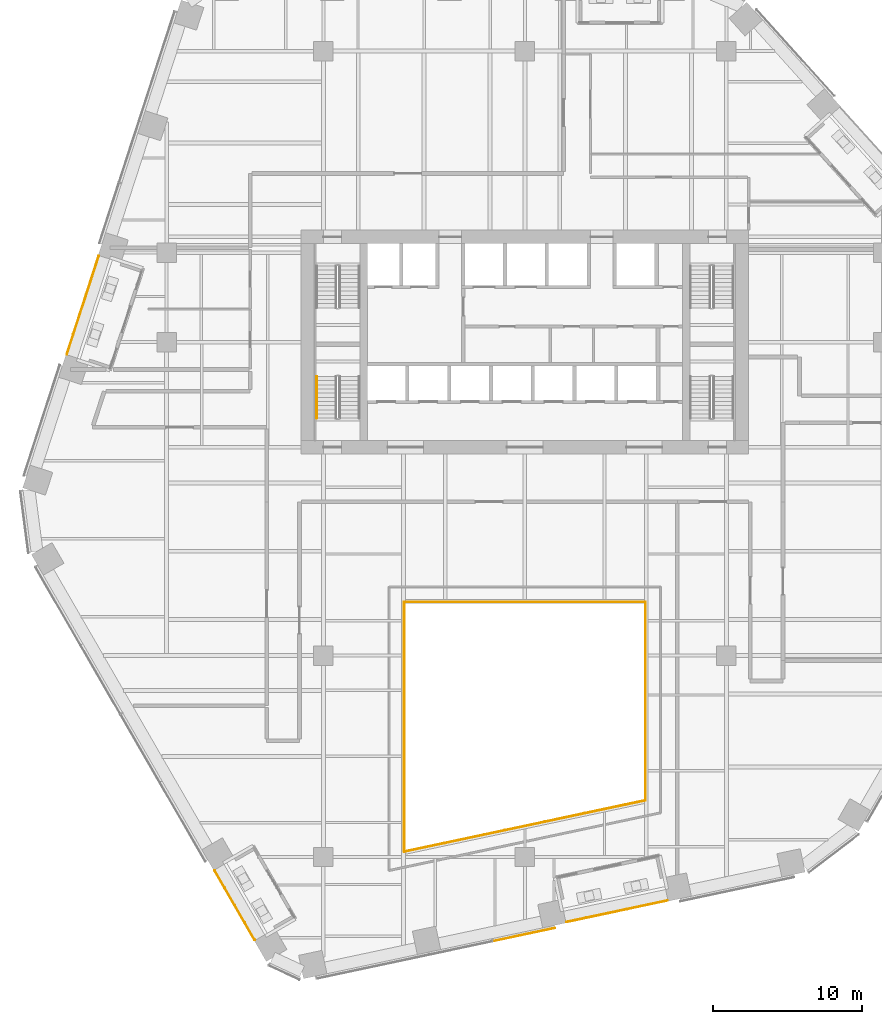
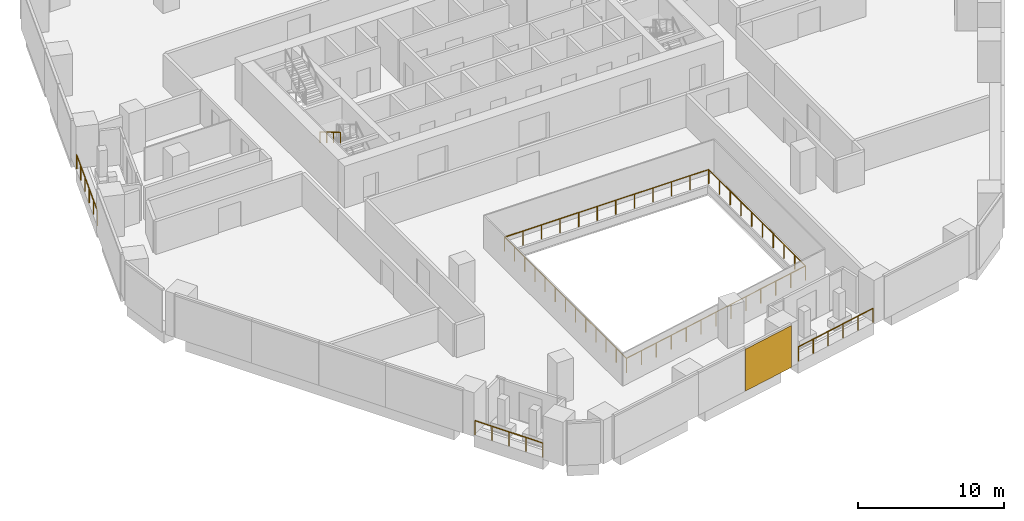
# One storey, part 24 of 28: 8 railings, 1 covering, 1 element without a shape of its own.
"""IFC4 building model written with IfcOpenShell, lengths in metres."""

from ifc_helpers import new_model, si_unit, direction, frame, origin, origin_2d, place, context, subcontext, project, spatial, rectangle, circle, extrude, material, layer, layer_set, type_object, element, aggregate, save


model = new_model("IFC4")

# Units and contexts
model_context = context("Model", 3, precision=1e-05, world=origin(), true_north=direction((0.0, 1.0)))
body_context = subcontext(model_context, "Body", "Model", "MODEL_VIEW")
ifc_project = project(units=[si_unit("LENGTHUNIT", "METRE"), si_unit("AREAUNIT", "SQUARE_METRE"), si_unit("VOLUMEUNIT", "CUBIC_METRE"), si_unit("PLANEANGLEUNIT", "RADIAN"), si_unit("MASSUNIT", "GRAM", prefix="KILO")], contexts=[model_context])

# Site, building, storey
site_placement = place(None, origin())
site = spatial("IfcSite", under=ifc_project, at=site_placement, CompositionType="ELEMENT")
building_placement = place(site_placement, origin())
building = spatial("IfcBuilding", under=site, at=building_placement, Name="Isthmus Gate Tower", CompositionType="ELEMENT")
storey_placement = place(building_placement, frame((0.0, 0.0, 84.300048828125)))
storey = spatial("IfcBuildingStorey", under=building, at=storey_placement, Name="L19", CompositionType="ELEMENT", Elevation=84.300048828125)

# Railings
ifc_material_1 = material(Name="Laminated toughened glass balustrade with steel rail", Category="steel")
railing_type_1 = type_object("IfcRailingType", Name="ATRIUM GUARD GLASS BALUSTRADE 1200", PredefinedType="GUARDRAIL", material=ifc_material_1)
railing_1_placement = place(storey_placement, frame((-8.080078125, -26.642822265625, 0.0)))
element("IfcRailing", 1, at=railing_1_placement, inside=storey, type_object=railing_type_1, Name="L19 atrium guard", PredefinedType="GUARDRAIL", context=body_context, shape_type="SweptSolid", body=[
    extrude(circle(Radius=0.02490234375, at=origin_2d()), frame((0.0, 0.0, 1.1748046875), z_axis=(0.0, 1.0, 0.0), x_axis=(-1.0, 0.0, 0.0)), (0.0, 0.0, 1.0), 16.722900390625),
    extrude(circle(Radius=0.02490234375, at=origin_2d()), origin(), (0.0, 0.0, 1.0), 1.14990234375),
    extrude(circle(Radius=0.02490234375, at=origin_2d()), frame((0.0, 1.3935546875, 0.0)), (0.0, 0.0, 1.0), 1.14990234375),
    extrude(circle(Radius=0.02490234375, at=origin_2d()), frame((0.0, 2.787109375, 0.0)), (0.0, 0.0, 1.0), 1.14990234375),
    extrude(circle(Radius=0.02490234375, at=origin_2d()), frame((0.0, 4.1806640625, 0.0)), (0.0, 0.0, 1.0), 1.14990234375),
    extrude(circle(Radius=0.02490234375, at=origin_2d()), frame((0.0, 5.57421875, 0.0)), (0.0, 0.0, 1.0), 1.14990234375),
    extrude(circle(Radius=0.02490234375, at=origin_2d()), frame((0.0, 6.9677734375, 0.0)), (0.0, 0.0, 1.0), 1.14990234375),
    extrude(circle(Radius=0.02490234375, at=origin_2d()), frame((0.0, 8.361328125, 0.0)), (0.0, 0.0, 1.0), 1.14990234375),
    extrude(circle(Radius=0.02490234375, at=origin_2d()), frame((0.0, 9.755126953125, 0.0)), (0.0, 0.0, 1.0), 1.14990234375),
    extrude(circle(Radius=0.02490234375, at=origin_2d()), frame((0.0, 11.148681640625, 0.0)), (0.0, 0.0, 1.0), 1.14990234375),
    extrude(circle(Radius=0.02490234375, at=origin_2d()), frame((0.0, 12.542236328125, 0.0)), (0.0, 0.0, 1.0), 1.14990234375),
    extrude(circle(Radius=0.02490234375, at=origin_2d()), frame((0.0, 13.935791015625, 0.0)), (0.0, 0.0, 1.0), 1.14990234375),
    extrude(circle(Radius=0.02490234375, at=origin_2d()), frame((0.0, 15.329345703125, 0.0)), (0.0, 0.0, 1.0), 1.14990234375),
    extrude(circle(Radius=0.02490234375, at=origin_2d()), frame((0.0, 16.722900390625, 0.0)), (0.0, 0.0, 1.0), 1.14990234375),
])
railing_2_placement = place(storey_placement, frame((-8.080078125, -9.919921875, 0.0)))
element("IfcRailing", 2, at=railing_2_placement, inside=storey, type_object=railing_type_1, Name="L19 atrium guard", PredefinedType="GUARDRAIL", context=body_context, shape_type="SweptSolid", body=[
    extrude(circle(Radius=0.02490234375, at=origin_2d()), frame((0.0, 0.0, 1.1748046875), z_axis=(1.0, 0.0, 0.0), x_axis=(0.0, 1.0, 0.0)), (0.0, 0.0, 1.0), 16.16015625),
    extrude(circle(Radius=0.02490234375, at=origin_2d()), origin(), (0.0, 0.0, 1.0), 1.14990234375),
    extrude(circle(Radius=0.02490234375, at=origin_2d()), frame((1.468994140625, 0.0, 0.0)), (0.0, 0.0, 1.0), 1.14990234375),
    extrude(circle(Radius=0.02490234375, at=origin_2d()), frame((2.938232421875, 0.0, 0.0)), (0.0, 0.0, 1.0), 1.14990234375),
    extrude(circle(Radius=0.02490234375, at=origin_2d()), frame((4.4072265625, 0.0, 0.0)), (0.0, 0.0, 1.0), 1.14990234375),
    extrude(circle(Radius=0.02490234375, at=origin_2d()), frame((5.87646484375, 0.0, 0.0)), (0.0, 0.0, 1.0), 1.14990234375),
    extrude(circle(Radius=0.02490234375, at=origin_2d()), frame((7.345458984375, 0.0, 0.0)), (0.0, 0.0, 1.0), 1.14990234375),
    extrude(circle(Radius=0.02490234375, at=origin_2d()), frame((8.814697265625, 0.0, 0.0)), (0.0, 0.0, 1.0), 1.14990234375),
    extrude(circle(Radius=0.02490234375, at=origin_2d()), frame((10.28369140625, 0.0, 0.0)), (0.0, 0.0, 1.0), 1.14990234375),
    extrude(circle(Radius=0.02490234375, at=origin_2d()), frame((11.7529296875, 0.0, 0.0)), (0.0, 0.0, 1.0), 1.14990234375),
    extrude(circle(Radius=0.02490234375, at=origin_2d()), frame((13.221923828125, 0.0, 0.0)), (0.0, 0.0, 1.0), 1.14990234375),
    extrude(circle(Radius=0.02490234375, at=origin_2d()), frame((14.691162109375, 0.0, 0.0)), (0.0, 0.0, 1.0), 1.14990234375),
    extrude(circle(Radius=0.02490234375, at=origin_2d()), frame((16.16015625, 0.0, 0.0)), (0.0, 0.0, 1.0), 1.14990234375),
])
railing_3_placement = place(storey_placement, frame((8.080078125, -9.919921875, 0.0)))
element("IfcRailing", 3, at=railing_3_placement, inside=storey, type_object=railing_type_1, Name="L19 atrium guard", PredefinedType="GUARDRAIL", context=body_context, shape_type="SweptSolid", body=[
    extrude(circle(Radius=0.02490234375, at=origin_2d()), frame((0.0, 0.0, 1.1748046875), z_axis=(0.0, -1.0, 0.0), x_axis=(1.0, 0.0, 0.0)), (0.0, 0.0, 1.0), 13.2880859375),
    extrude(circle(Radius=0.02490234375, at=origin_2d()), origin(), (0.0, 0.0, 1.0), 1.14990234375),
    extrude(circle(Radius=0.02490234375, at=origin_2d()), frame((0.0, -1.4765625, 0.0)), (0.0, 0.0, 1.0), 1.14990234375),
    extrude(circle(Radius=0.02490234375, at=origin_2d()), frame((0.0, -2.952880859375, 0.0)), (0.0, 0.0, 1.0), 1.14990234375),
    extrude(circle(Radius=0.02490234375, at=origin_2d()), frame((0.0, -4.429443359375, 0.0)), (0.0, 0.0, 1.0), 1.14990234375),
    extrude(circle(Radius=0.02490234375, at=origin_2d()), frame((0.0, -5.90576171875, 0.0)), (0.0, 0.0, 1.0), 1.14990234375),
    extrude(circle(Radius=0.02490234375, at=origin_2d()), frame((0.0, -7.38232421875, 0.0)), (0.0, 0.0, 1.0), 1.14990234375),
    extrude(circle(Radius=0.02490234375, at=origin_2d()), frame((0.0, -8.858642578125, 0.0)), (0.0, 0.0, 1.0), 1.14990234375),
    extrude(circle(Radius=0.02490234375, at=origin_2d()), frame((0.0, -10.335205078125, 0.0)), (0.0, 0.0, 1.0), 1.14990234375),
    extrude(circle(Radius=0.02490234375, at=origin_2d()), frame((0.0, -11.8115234375, 0.0)), (0.0, 0.0, 1.0), 1.14990234375),
    extrude(circle(Radius=0.02490234375, at=origin_2d()), frame((0.0, -13.2880859375, 0.0)), (0.0, 0.0, 1.0), 1.14990234375),
])
railing_4_placement = place(storey_placement, frame((8.080078125, -23.2080078125, 0.0)))
element("IfcRailing", 4, at=railing_4_placement, inside=storey, type_object=railing_type_1, Name="L19 atrium guard", PredefinedType="GUARDRAIL", context=body_context, shape_type="SweptSolid", body=[
    extrude(circle(Radius=0.02490234375, at=origin_2d()), frame((0.0, 0.0, 1.1748046875), z_axis=(-0.978149235358, -0.207904000366, 0.0), x_axis=(0.207904000366, -0.978149235358, 0.0)), (0.0, 0.0, 1.0), 16.521240234375),
    extrude(circle(Radius=0.02490234375, at=origin_2d()), origin(), (0.0, 0.0, 1.0), 1.14990234375),
    extrude(circle(Radius=0.02490234375, at=origin_2d()), frame((-1.3466796875, -0.2861328125, 0.0)), (0.0, 0.0, 1.0), 1.14990234375),
    extrude(circle(Radius=0.02490234375, at=origin_2d()), frame((-2.693359375, -0.572509765625, 0.0)), (0.0, 0.0, 1.0), 1.14990234375),
    extrude(circle(Radius=0.02490234375, at=origin_2d()), frame((-4.0400390625, -0.858642578125, 0.0)), (0.0, 0.0, 1.0), 1.14990234375),
    extrude(circle(Radius=0.02490234375, at=origin_2d()), frame((-5.38671875, -1.14501953125, 0.0)), (0.0, 0.0, 1.0), 1.14990234375),
    extrude(circle(Radius=0.02490234375, at=origin_2d()), frame((-6.7333984375, -1.43115234375, 0.0)), (0.0, 0.0, 1.0), 1.14990234375),
    extrude(circle(Radius=0.02490234375, at=origin_2d()), frame((-8.080078125, -1.71728515625, 0.0)), (0.0, 0.0, 1.0), 1.14990234375),
    extrude(circle(Radius=0.02490234375, at=origin_2d()), frame((-9.4267578125, -2.003662109375, 0.0)), (0.0, 0.0, 1.0), 1.14990234375),
    extrude(circle(Radius=0.02490234375, at=origin_2d()), frame((-10.7734375, -2.289794921875, 0.0)), (0.0, 0.0, 1.0), 1.14990234375),
    extrude(circle(Radius=0.02490234375, at=origin_2d()), frame((-12.1201171875, -2.576171875, 0.0)), (0.0, 0.0, 1.0), 1.14990234375),
    extrude(circle(Radius=0.02490234375, at=origin_2d()), frame((-13.466796875, -2.8623046875, 0.0)), (0.0, 0.0, 1.0), 1.14990234375),
    extrude(circle(Radius=0.02490234375, at=origin_2d()), frame((-14.8134765625, -3.148681640625, 0.0)), (0.0, 0.0, 1.0), 1.14990234375),
    extrude(circle(Radius=0.02490234375, at=origin_2d()), frame((-16.16015625, -3.434814453125, 0.0)), (0.0, 0.0, 1.0), 1.14990234375),
])

# Curtain wall, covering
ifc_material_2 = material(Name="Aluminium, pale champagne anodised", Category="aluminium")
ifc_layer_1 = layer(ifc_material_2, 0.199951171875)
ifc_layer_set_1 = layer_set([ifc_layer_1], Name="CW-1 UNITISED CURTAIN WALL 200 DEEP")
curtain_wall_type = type_object("IfcCurtainWallType", Name="CW-1 UNITISED CURTAIN WALL 200 DEEP", PredefinedType="NOTDEFINED", material=ifc_layer_set_1)
curtain_wall_placement = place(storey_placement, origin())
curtain_wall = element("IfcCurtainWall", 5, at=curtain_wall_placement, inside=storey, type_object=curtain_wall_type, Name="CW-1 S L19", PredefinedType="NOTDEFINED")
ifc_material_3 = material(Name="Aluminium composite panel, pale champagne anodised", Category="aluminium")
ifc_layer_2 = layer(ifc_material_3, 0.0400390625)
ifc_layer_set_2 = layer_set([ifc_layer_2], Name="CW-1 PALE METAL PANEL 40")
covering_type = type_object("IfcCoveringType", Name="CW-1 PALE METAL PANEL 40", PredefinedType="CLADDING", material=ifc_layer_set_2)
covering_placement = place(storey_placement, frame((-0.055908203125, -32.19580078125, 0.0), z_axis=(0.0, 0.0, 1.0), x_axis=(0.978147600734, 0.207911690818, 0.0)))
covering = element("IfcCovering", 6, at=covering_placement, type_object=covering_type, Name="CW-1 pale metal panel", PredefinedType="CLADDING", context=body_context, shape_type="SweptSolid", body=[
    extrude(rectangle(XDim=4.234619140625, YDim=0.0400390625, at=origin_2d()), origin(), (0.0, 0.0, 1.0), 3.5),
])
aggregate(curtain_wall, [covering])

# Railings
ifc_material_4 = material(Name="Toughened laminated glass with stainless steel posts", Category="steel")
railing_type_2 = type_object("IfcRailingType", Name="GUARD 1200 FRAMELESS GLASS", PredefinedType="GUARDRAIL", material=ifc_material_4)
railing_5_placement = place(storey_placement, frame((-28.549560546875, 13.2626953125, 0.0)))
element("IfcRailing", 7, at=railing_5_placement, inside=storey, type_object=railing_type_2, Name="LOGGIA GUARD", PredefinedType="GUARDRAIL", context=body_context, shape_type="SweptSolid", body=[
    extrude(circle(Radius=0.02490234375, at=origin_2d()), frame((0.0, 0.0, 1.1748046875), z_axis=(-0.309042127656, -0.95104834963, 0.0), x_axis=(0.95104834963, -0.309042127656, 0.0)), (0.0, 0.0, 1.0), 6.9091796875),
    extrude(circle(Radius=0.02490234375, at=origin_2d()), origin(), (0.0, 0.0, 1.0), 1.14990234375),
    extrude(circle(Radius=0.02490234375, at=origin_2d()), frame((-0.427001953125, -1.314208984375, 0.0)), (0.0, 0.0, 1.0), 1.14990234375),
    extrude(circle(Radius=0.02490234375, at=origin_2d()), frame((-0.85400390625, -2.62841796875, 0.0)), (0.0, 0.0, 1.0), 1.14990234375),
    extrude(circle(Radius=0.02490234375, at=origin_2d()), frame((-1.28125, -3.942626953125, 0.0)), (0.0, 0.0, 1.0), 1.14990234375),
    extrude(circle(Radius=0.02490234375, at=origin_2d()), frame((-1.708251953125, -5.2568359375, 0.0)), (0.0, 0.0, 1.0), 1.14990234375),
    extrude(circle(Radius=0.02490234375, at=origin_2d()), frame((-2.13525390625, -6.571044921875, 0.0)), (0.0, 0.0, 1.0), 1.14990234375),
])
railing_6_placement = place(storey_placement, frame((-20.783203125, -27.90234375, 0.0)))
element("IfcRailing", 8, at=railing_6_placement, inside=storey, type_object=railing_type_2, Name="LOGGIA GUARD", PredefinedType="GUARDRAIL", context=body_context, shape_type="SweptSolid", body=[
    extrude(circle(Radius=0.02490234375, at=origin_2d()), frame((0.0, 0.0, 1.1748046875), z_axis=(0.500011394563, -0.86601882503, 0.0), x_axis=(0.86601882503, 0.500011394563, 0.0)), (0.0, 0.0, 1.0), 5.363525390625),
    extrude(circle(Radius=0.02490234375, at=origin_2d()), origin(), (0.0, 0.0, 1.0), 1.14990234375),
    extrude(circle(Radius=0.02490234375, at=origin_2d()), frame((0.67041015625, -1.1611328125, 0.0)), (0.0, 0.0, 1.0), 1.14990234375),
    extrude(circle(Radius=0.02490234375, at=origin_2d()), frame((1.3408203125, -2.322509765625, 0.0)), (0.0, 0.0, 1.0), 1.14990234375),
    extrude(circle(Radius=0.02490234375, at=origin_2d()), frame((2.011474609375, -3.48388671875, 0.0)), (0.0, 0.0, 1.0), 1.14990234375),
    extrude(circle(Radius=0.02490234375, at=origin_2d()), frame((2.681884765625, -4.64501953125, 0.0)), (0.0, 0.0, 1.0), 1.14990234375),
])
railing_7_placement = place(storey_placement, frame((2.7890625, -31.35595703125, 0.0)))
element("IfcRailing", 9, at=railing_7_placement, inside=storey, type_object=railing_type_2, Name="LOGGIA GUARD", PredefinedType="GUARDRAIL", context=body_context, shape_type="SweptSolid", body=[
    extrude(circle(Radius=0.02490234375, at=origin_2d()), frame((0.0, 0.0, 1.1748046875), z_axis=(0.978147534192, 0.207912003872, 0.0), x_axis=(-0.207912003872, 0.978147534192, 0.0)), (0.0, 0.0, 1.0), 6.9091796875),
    extrude(circle(Radius=0.02490234375, at=origin_2d()), origin(), (0.0, 0.0, 1.0), 1.14990234375),
    extrude(circle(Radius=0.02490234375, at=origin_2d()), frame((1.3515625, 0.287353515625, 0.0)), (0.0, 0.0, 1.0), 1.14990234375),
    extrude(circle(Radius=0.02490234375, at=origin_2d()), frame((2.703369140625, 0.57470703125, 0.0)), (0.0, 0.0, 1.0), 1.14990234375),
    extrude(circle(Radius=0.02490234375, at=origin_2d()), frame((4.054931640625, 0.86181640625, 0.0)), (0.0, 0.0, 1.0), 1.14990234375),
    extrude(circle(Radius=0.02490234375, at=origin_2d()), frame((5.40673828125, 1.149169921875, 0.0)), (0.0, 0.0, 1.0), 1.14990234375),
    extrude(circle(Radius=0.02490234375, at=origin_2d()), frame((6.75830078125, 1.4365234375, 0.0)), (0.0, 0.0, 1.0), 1.14990234375),
])
ifc_material_5 = material(Name="Stainless steel handrail", Category="steel")
railing_type_3 = type_object("IfcRailingType", Name="STAIR HANDRAIL 900", PredefinedType="HANDRAIL", material=ifc_material_5)
railing_8_placement = place(storey_placement, frame((-13.949951171875, 5.199951171875, 1.990966796875)))
element("IfcRailing", 10, at=railing_8_placement, inside=storey, type_object=railing_type_3, Name="L19 ST7 stair handrail 2", PredefinedType="HANDRAIL", context=body_context, shape_type="SweptSolid", body=[
    extrude(circle(Radius=0.02392578125, at=origin_2d()), frame((0.0, 0.0, 0.8759765625), z_axis=(0.0, -0.860339051648, 0.50972219513), x_axis=(1.0, 0.0, 0.0)), (0.0, 0.0, 1.0), 3.254638671875),
    extrude(circle(Radius=0.02099609375, at=origin_2d()), origin(), (0.0, 0.0, 1.0), 0.851806640625),
    extrude(circle(Radius=0.02099609375, at=origin_2d()), frame((0.0, -0.933349609375, 0.552978515625)), (0.0, 0.0, 1.0), 0.851806640625),
    extrude(circle(Radius=0.02099609375, at=origin_2d()), frame((0.0, -1.86669921875, 1.10595703125)), (0.0, 0.0, 1.0), 0.851806640625),
    extrude(circle(Radius=0.02099609375, at=origin_2d()), frame((0.0, -2.800048828125, 1.658935546875)), (0.0, 0.0, 1.0), 0.851806640625),
])

save(model, "model.ifc")
